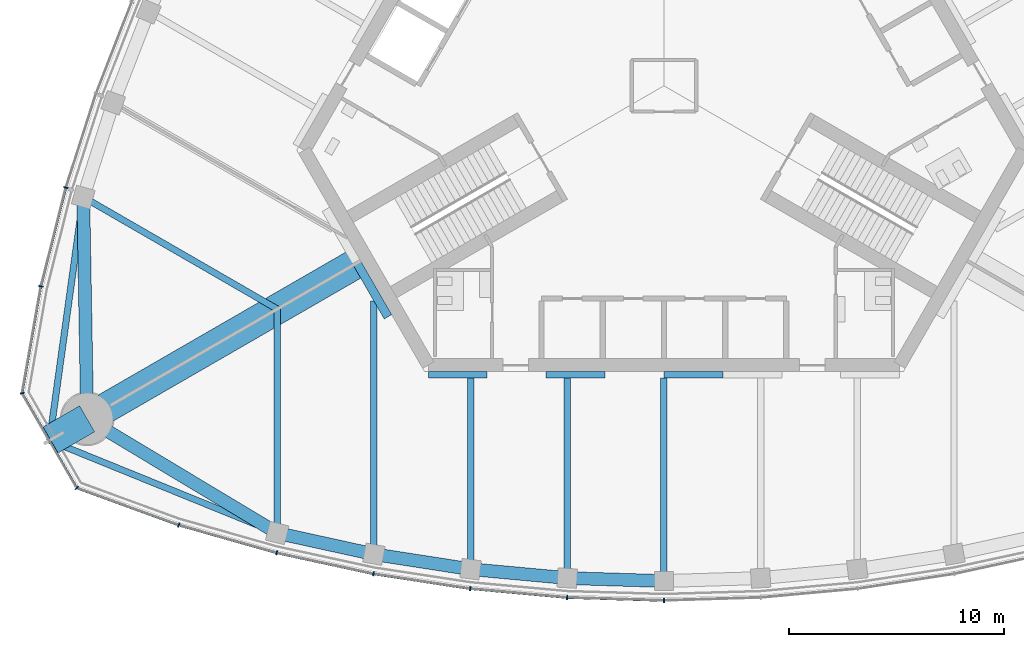
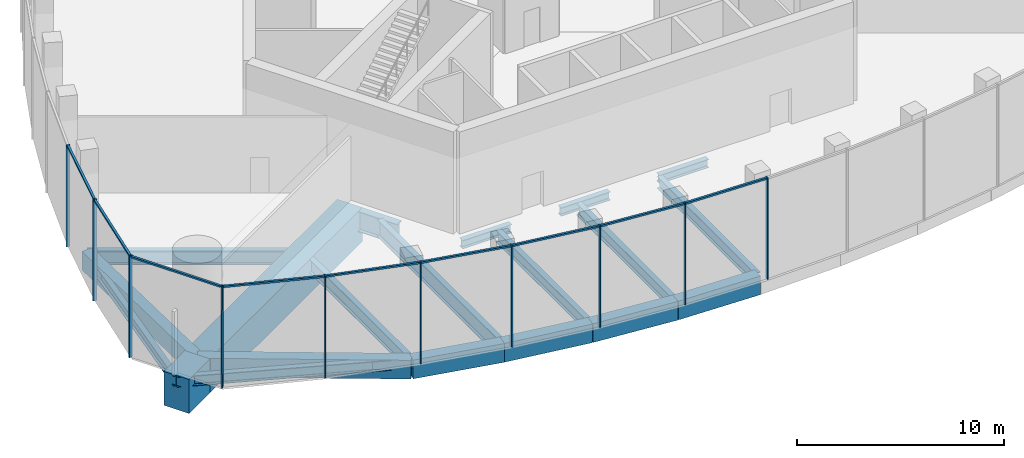
# One storey, part 2 of 15: 20 beams, 19 members, 3 elements without a shape of their own.
"""IFC4 building model written with IfcOpenShell, lengths in metres."""

from ifc_helpers import new_model, si_unit, direction, frame, origin, origin_2d, place, context, subcontext, project, spatial, rectangle, i_section, extrude, material, material_profile, profile_set, type_object, element, aggregate, save


model = new_model("IFC4")

# Units and contexts
model_context = context("Model", 3, precision=1e-05, world=origin(), true_north=direction((0.0, 1.0)))
body_context = subcontext(model_context, "Body", "Model", "MODEL_VIEW")
ifc_project = project(units=[si_unit("LENGTHUNIT", "METRE"), si_unit("AREAUNIT", "SQUARE_METRE"), si_unit("VOLUMEUNIT", "CUBIC_METRE"), si_unit("PLANEANGLEUNIT", "RADIAN"), si_unit("MASSUNIT", "GRAM", prefix="KILO")], contexts=[model_context])

# Site, building, storey
site_placement = place(None, origin())
site = spatial("IfcSite", under=ifc_project, at=site_placement, CompositionType="ELEMENT")
building_placement = place(site_placement, origin())
building = spatial("IfcBuilding", under=site, at=building_placement, Name="Trefoil Bronze Tower", CompositionType="ELEMENT")
storey_placement = place(building_placement, frame((0.0, 0.0, 322.5)))
storey = spatial("IfcBuildingStorey", under=building, at=storey_placement, Name="L74", CompositionType="ELEMENT", Elevation=322.5)

# Curtain wall, members
ifc_material_1 = material(Name="Tinted solar-control glass", Category="glass")
curtain_wall_type_1 = type_object("IfcCurtainWallType", Name="Bronze observation curtain wall", PredefinedType="USERDEFINED", material=ifc_material_1)
curtain_wall_1_placement = place(storey_placement, origin())
curtain_wall_1 = element("IfcCurtainWall", 1, at=curtain_wall_1_placement, inside=storey, type_object=curtain_wall_type_1, Name="CW-E L74 F1", ObjectType="CURTAIN WALL", PredefinedType="USERDEFINED")
ifc_material_2 = material(Name="Bronze-finish aluminium", Category="aluminium")
ifc_material_profile_1 = material_profile(ifc_material_2, rectangle(XDim=0.199951171875, YDim=0.06005859375, at=origin_2d()), Name="CW-E mullion")
ifc_profile_set_1 = profile_set([ifc_material_profile_1], Name="Bronze-finish aluminium")
member_type_1 = type_object("IfcMemberType", Name="Bronze observation curtain wall mullion", PredefinedType="MULLION", material=ifc_profile_set_1)
member_1_placement = place(storey_placement, frame((-18.024169921875, -21.73779296875, 0.0), z_axis=(0.0, 0.0, 1.0), x_axis=(0.242394494031, 0.97017777199, 0.0)))
member_1 = element("IfcMember", 2, at=member_1_placement, type_object=member_type_1, Name="CW-E L74 F1 mullion 2", PredefinedType="MULLION", context=body_context, shape_type="SweptSolid", body=[
    extrude(rectangle(XDim=0.199951171875, YDim=0.06005859375, at=origin_2d()), origin(), (0.0, 0.0, 1.0), 5.97998046875),
])
member_2_placement = place(storey_placement, frame((-13.51806640625, -22.714599609375, 0.0), z_axis=(0.0, 0.0, 1.0), x_axis=(0.181667218242, 0.983360067227, 0.0)))
member_2 = element("IfcMember", 3, at=member_2_placement, type_object=member_type_1, Name="CW-E L74 F1 mullion 3", PredefinedType="MULLION", context=body_context, shape_type="SweptSolid", body=[
    extrude(rectangle(XDim=0.199951171875, YDim=0.06005859375, at=origin_2d()), origin(), (0.0, 0.0, 1.0), 5.97998046875),
])
member_3_placement = place(storey_placement, frame((-9.01220703125, -23.404296875, 0.0), z_axis=(0.0, 0.0, 1.0), x_axis=(0.121109330868, 0.992639174109, 0.0)))
member_3 = element("IfcMember", 4, at=member_3_placement, type_object=member_type_1, Name="CW-E L74 F1 mullion 4", PredefinedType="MULLION", context=body_context, shape_type="SweptSolid", body=[
    extrude(rectangle(XDim=0.199951171875, YDim=0.06005859375, at=origin_2d()), origin(), (0.0, 0.0, 1.0), 5.97998046875),
])
member_4_placement = place(storey_placement, frame((-4.506103515625, -23.815185546875, 0.0), z_axis=(0.0, 0.0, 1.0), x_axis=(0.060554040199, 0.998164920349, 0.0)))
member_4 = element("IfcMember", 5, at=member_4_placement, type_object=member_type_1, Name="CW-E L74 F1 mullion 5", PredefinedType="MULLION", context=body_context, shape_type="SweptSolid", body=[
    extrude(rectangle(XDim=0.199951171875, YDim=0.06005859375, at=origin_2d()), origin(), (0.0, 0.0, 1.0), 5.97998046875),
])
member_5_placement = place(storey_placement, frame((0.0, -23.95166015625, 0.0), z_axis=(0.0, 0.0, 1.0), x_axis=(0.0, 1.0, 0.0)))
member_5 = element("IfcMember", 6, at=member_5_placement, type_object=member_type_1, Name="CW-E L74 F1 mullion 6", PredefinedType="MULLION", context=body_context, shape_type="SweptSolid", body=[
    extrude(rectangle(XDim=0.199951171875, YDim=0.06005859375, at=origin_2d()), origin(), (0.0, 0.0, 1.0), 5.97998046875),
])

# Curtain wall, member
curtain_wall_2_placement = place(storey_placement, origin())
curtain_wall_2 = element("IfcCurtainWall", 7, at=curtain_wall_2_placement, inside=storey, type_object=curtain_wall_type_1, Name="CW-E L74 F3", ObjectType="CURTAIN WALL", PredefinedType="USERDEFINED")
member_6_placement = place(storey_placement, frame((-27.837646484375, -4.740478515625, 0.0), z_axis=(0.0, 0.0, 1.0), x_axis=(0.961395843746, -0.275169096426, 0.0)))
member_6 = element("IfcMember", 8, at=member_6_placement, type_object=member_type_1, Name="CW-E L74 F3 mullion 10", PredefinedType="MULLION", context=body_context, shape_type="SweptSolid", body=[
    extrude(rectangle(XDim=0.199951171875, YDim=0.06005859375, at=origin_2d()), origin(), (0.0, 0.0, 1.0), 5.97998046875),
])

# Member
ifc_material_3 = material(Name="Bronze-finish aluminium", Category="aluminium")
ifc_material_profile_2 = material_profile(ifc_material_3, rectangle(XDim=0.1201171875, YDim=0.10009765625, at=origin_2d()), Name="CW-E transom")
ifc_profile_set_2 = profile_set([ifc_material_profile_2], Name="Bronze-finish aluminium")
member_type_2 = type_object("IfcMemberType", Name="Bronze observation curtain wall transom", PredefinedType="USERDEFINED", material=ifc_profile_set_2)
member_7_placement = place(storey_placement, frame((-22.546630859375, -20.4560546875, 5.929931640625), z_axis=(0.962104086165, -0.27268246622, 0.0), x_axis=(0.27268246622, 0.962104086165, 0.0)))
member_7 = element("IfcMember", 9, at=member_7_placement, type_object=member_type_2, Name="CW-E L74 F1 transom 1", ObjectType="TRANSOM", PredefinedType="USERDEFINED", context=body_context, shape_type="SweptSolid", body=[
    extrude(rectangle(XDim=0.1201171875, YDim=0.10009765625, at=origin_2d()), origin(), (0.0, 0.0, 1.0), 4.667236328125),
])

member_8_placement = place(storey_placement, frame((-17.991943359375, -21.744873046875, 5.929931640625), z_axis=(0.977307572451, -0.211825184596, 0.0), x_axis=(0.211825184596, 0.977307572451, 0.0)))
member_8 = element("IfcMember", 10, at=member_8_placement, type_object=member_type_2, Name="CW-E L74 F1 transom 2", ObjectType="TRANSOM", PredefinedType="USERDEFINED", context=body_context, shape_type="SweptSolid", body=[
    extrude(rectangle(XDim=0.1201171875, YDim=0.10009765625, at=origin_2d()), origin(), (0.0, 0.0, 1.0), 4.54443359375),
])

member_9_placement = place(storey_placement, frame((-13.485595703125, -22.7197265625, 5.929931640625), z_axis=(0.988489507985, -0.151289433218, 0.0), x_axis=(0.151289433218, 0.988489507985, 0.0)))
member_9 = element("IfcMember", 11, at=member_9_placement, type_object=member_type_2, Name="CW-E L74 F1 transom 3", ObjectType="TRANSOM", PredefinedType="USERDEFINED", context=body_context, shape_type="SweptSolid", body=[
    extrude(rectangle(XDim=0.1201171875, YDim=0.10009765625, at=origin_2d()), origin(), (0.0, 0.0, 1.0), 4.49267578125),
])

member_10_placement = place(storey_placement, frame((-8.979248046875, -23.407470703125, 5.929931640625), z_axis=(0.995870284307, -0.090787536778, 0.0), x_axis=(0.090787536778, 0.995870284307, 0.0)))
member_10 = element("IfcMember", 12, at=member_10_placement, type_object=member_type_2, Name="CW-E L74 F1 transom 4", ObjectType="TRANSOM", PredefinedType="USERDEFINED", context=body_context, shape_type="SweptSolid", body=[
    extrude(rectangle(XDim=0.1201171875, YDim=0.10009765625, at=origin_2d()), origin(), (0.0, 0.0, 1.0), 4.45849609375),
])

member_11_placement = place(storey_placement, frame((-4.47314453125, -23.816162109375, 5.929931640625), z_axis=(0.999541380808, -0.030282471041, 0.0), x_axis=(0.030282471041, 0.999541380808, 0.0)))
member_11 = element("IfcMember", 13, at=member_11_placement, type_object=member_type_2, Name="CW-E L74 F1 transom 5", ObjectType="TRANSOM", PredefinedType="USERDEFINED", context=body_context, shape_type="SweptSolid", body=[
    extrude(rectangle(XDim=0.1201171875, YDim=0.10009765625, at=origin_2d()), origin(), (0.0, 0.0, 1.0), 4.442138671875),
])

aggregate(curtain_wall_1, [member_1, member_2, member_3, member_4, member_5, member_7, member_8, member_9, member_10, member_11])

member_12_placement = place(storey_placement, frame((-27.845703125, -4.772705078125, 5.929931640625), z_axis=(-0.244897917875, -0.969548869228, 0.0), x_axis=(0.969548869228, -0.244897917875, 0.0)))
member_12 = element("IfcMember", 14, at=member_12_placement, type_object=member_type_2, Name="CW-E L74 F3 transom 10", ObjectType="TRANSOM", PredefinedType="USERDEFINED", context=body_context, shape_type="SweptSolid", body=[
    extrude(rectangle(XDim=0.1201171875, YDim=0.10009765625, at=origin_2d()), origin(), (0.0, 0.0, 1.0), 4.66748046875),
])

aggregate(curtain_wall_2, [member_6, member_12])

# Curtain wall, members
ifc_material_4 = material(Name="Tinted solar-control glass", Category="glass")
curtain_wall_type_2 = type_object("IfcCurtainWallType", Name="Bronze rounded corner curtain wall", PredefinedType="USERDEFINED", material=ifc_material_4)
curtain_wall_3_placement = place(storey_placement, origin())
curtain_wall_3 = element("IfcCurtainWall", 15, at=curtain_wall_3_placement, inside=storey, type_object=curtain_wall_type_2, Name="CW-B L74 K3", ObjectType="CURTAIN WALL", PredefinedType="USERDEFINED")
ifc_material_5 = material(Name="Bronze-finish aluminium", Category="aluminium")
ifc_material_profile_3 = material_profile(ifc_material_5, rectangle(XDim=0.199951171875, YDim=0.06005859375, at=origin_2d()), Name="CW-B mullion")
ifc_profile_set_3 = profile_set([ifc_material_profile_3], Name="Bronze-finish aluminium")
member_type_3 = type_object("IfcMemberType", Name="Bronze rounded corner curtain wall mullion", PredefinedType="MULLION", material=ifc_profile_set_3)
member_13_placement = place(storey_placement, frame((-28.99755859375, -9.334228515625, 0.0), z_axis=(0.0, 0.0, 1.0), x_axis=(0.984807753012, -0.173648177667, 0.0)))
member_13 = element("IfcMember", 16, at=member_13_placement, type_object=member_type_3, Name="CW-B L74 K3 mullion 1", PredefinedType="MULLION", context=body_context, shape_type="SweptSolid", body=[
    extrude(rectangle(XDim=0.199951171875, YDim=0.06005859375, at=origin_2d()), origin(), (0.0, 0.0, 1.0), 5.97998046875),
])
member_14_placement = place(storey_placement, frame((-29.86865234375, -14.30908203125, 0.0), z_axis=(0.0, 0.0, 1.0), x_axis=(0.984807753012, 0.173648177667, 0.0)))
member_14 = element("IfcMember", 17, at=member_14_placement, type_object=member_type_3, Name="CW-B L74 K3 mullion 2", PredefinedType="MULLION", context=body_context, shape_type="SweptSolid", body=[
    extrude(rectangle(XDim=0.199951171875, YDim=0.06005859375, at=origin_2d()), origin(), (0.0, 0.0, 1.0), 5.97998046875),
])
member_15_placement = place(storey_placement, frame((-27.326416015625, -18.712646484375, 0.0), z_axis=(0.0, 0.0, 1.0), x_axis=(0.642787609687, 0.766044443119, 0.0)))
member_15 = element("IfcMember", 18, at=member_15_placement, type_object=member_type_3, Name="CW-B L74 K3 mullion 3", PredefinedType="MULLION", context=body_context, shape_type="SweptSolid", body=[
    extrude(rectangle(XDim=0.199951171875, YDim=0.06005859375, at=origin_2d()), origin(), (0.0, 0.0, 1.0), 5.97998046875),
])
member_16_placement = place(storey_placement, frame((-22.58251953125, -20.445556640625, 0.0), z_axis=(0.0, 0.0, 1.0), x_axis=(0.342020143326, 0.939692620786, 0.0)))
member_16 = element("IfcMember", 19, at=member_16_placement, type_object=member_type_3, Name="CW-B L74 K3 mullion 4", PredefinedType="MULLION", context=body_context, shape_type="SweptSolid", body=[
    extrude(rectangle(XDim=0.199951171875, YDim=0.06005859375, at=origin_2d()), origin(), (0.0, 0.0, 1.0), 5.97998046875),
])
ifc_material_6 = material(Name="Bronze-finish aluminium", Category="aluminium")
ifc_material_profile_4 = material_profile(ifc_material_6, rectangle(XDim=0.1201171875, YDim=0.10009765625, at=origin_2d()), Name="CW-B transom")
ifc_profile_set_4 = profile_set([ifc_material_profile_4], Name="Bronze-finish aluminium")
member_type_4 = type_object("IfcMemberType", Name="Bronze rounded corner curtain wall transom", PredefinedType="USERDEFINED", material=ifc_profile_set_4)
member_17_placement = place(storey_placement, frame((-29.0029296875, -9.36376953125, 5.929931640625), z_axis=(-0.173633591509, -0.984810324834, 0.0), x_axis=(0.984810324834, -0.173633591509, 0.0)))
member_17 = element("IfcMember", 20, at=member_17_placement, type_object=member_type_4, Name="CW-B L74 K3 transom 1", ObjectType="TRANSOM", PredefinedType="USERDEFINED", context=body_context, shape_type="SweptSolid", body=[
    extrude(rectangle(XDim=0.1201171875, YDim=0.10009765625, at=origin_2d()), origin(), (0.0, 0.0, 1.0), 4.956298828125),
])
member_18_placement = place(storey_placement, frame((-29.841796875, -14.36767578125, 5.929931640625), z_axis=(0.499985403706, -0.866033830794, 0.0), x_axis=(0.866033830794, 0.499985403706, 0.0)))
member_18 = element("IfcMember", 21, at=member_18_placement, type_object=member_type_4, Name="CW-B L74 K3 transom 2", ObjectType="TRANSOM", PredefinedType="USERDEFINED", context=body_context, shape_type="SweptSolid", body=[
    extrude(rectangle(XDim=0.1201171875, YDim=0.10009765625, at=origin_2d()), origin(), (0.0, 0.0, 1.0), 4.956298828125),
])
member_19_placement = place(storey_placement, frame((-27.26806640625, -18.740234375, 5.929931640625), z_axis=(0.93969990549, -0.342000128103, 0.0), x_axis=(0.342000128103, 0.93969990549, 0.0)))
member_19 = element("IfcMember", 22, at=member_19_placement, type_object=member_type_4, Name="CW-B L74 K3 transom 3", ObjectType="TRANSOM", PredefinedType="USERDEFINED", context=body_context, shape_type="SweptSolid", body=[
    extrude(rectangle(XDim=0.1201171875, YDim=0.10009765625, at=origin_2d()), origin(), (0.0, 0.0, 1.0), 4.956298828125),
])
aggregate(curtain_wall_3, [member_13, member_14, member_15, member_16, member_17, member_18, member_19])

# Beams
ifc_material_7 = material(Name="Steel C355", Category="steel")
ifc_material_profile_5 = material_profile(ifc_material_7, i_section(OverallWidth=0.300048828125, OverallDepth=0.5, WebThickness=0.014404296875, FlangeThickness=0.028076171875, FilletRadius=0.027099609375, at=origin_2d()), Name="HEB 500")
ifc_profile_set_5 = profile_set([ifc_material_profile_5], Name="Steel C355")
beam_type_1 = type_object("IfcBeamType", Name="Core seat beam HEB 500", PredefinedType="BEAM", material=ifc_profile_set_5)
for number, where, z_axis, x_axis, name in (
    (23, (-10.9697265625, -13.449951171875, -0.449951171875), (1.0, 0.0, 0.0), (0.0, 1.0, 0.0), "Core seat beam F1/-2 L74"),
    (24, (-5.48486328125, -13.449951171875, -0.449951171875), (1.0, 0.0, 0.0), (0.0, 1.0, 0.0), "Core seat beam F1/-1 L74"),
    (25, (0.0, -13.449951171875, -0.449951171875), (1.0, 0.0, 0.0), (0.0, 1.0, 0.0), "Core seat beam F1/+0 L74"),
):
    element("IfcBeam", number, at=place(storey_placement, frame(where, z_axis=z_axis, x_axis=x_axis)), inside=storey, type_object=beam_type_1, Name=name, PredefinedType="BEAM", context=body_context, shape_type="SweptSolid", body=[
        extrude(i_section(OverallWidth=0.300048828125, OverallDepth=0.5, WebThickness=0.014404296875, FlangeThickness=0.028076171875, FilletRadius=0.027099609375, at=origin_2d()), origin(), (0.0, 0.0, 1.0), 2.742431640625),
    ])
ifc_material_8 = material(Name="Steel C355", Category="steel")
ifc_material_profile_6 = material_profile(ifc_material_8, i_section(OverallWidth=0.39990234375, OverallDepth=1.199951171875, WebThickness=0.02001953125, FlangeThickness=0.0400390625, FilletRadius=0.010009765625, at=origin_2d()), Name="WPG 1200")
ifc_profile_set_6 = profile_set([ifc_material_profile_6], Name="Steel C355")
beam_type_2 = type_object("IfcBeamType", Name="Core seat beam WPG 1200", PredefinedType="BEAM", material=ifc_profile_set_6)
beam_1_placement = place(storey_placement, frame((-14.289306640625, -8.25, -0.800048828125), z_axis=(0.499995765644, -0.866027848477, 0.0), x_axis=(0.866027848477, 0.499995765644, 0.0)))
element("IfcBeam", 26, at=beam_1_placement, inside=storey, type_object=beam_type_2, Name="Core seat beam F1/-3 L74", PredefinedType="BEAM", context=body_context, shape_type="SweptSolid", body=[
    extrude(i_section(OverallWidth=0.39990234375, OverallDepth=1.199951171875, WebThickness=0.02001953125, FlangeThickness=0.0400390625, FilletRadius=0.010009765625, at=origin_2d()), origin(), (0.0, 0.0, 1.0), 2.88671875),
])
ifc_material_9 = material(Name="Concrete B80", Category="concrete")
ifc_material_profile_7 = material_profile(ifc_material_9, rectangle(XDim=1.39990234375, YDim=2.0, at=origin_2d()), Name="RC 1400x2000")
ifc_profile_set_7 = profile_set([ifc_material_profile_7], Name="Concrete B80")
beam_type_3 = type_object("IfcBeamType", Name="Corner cantilever RC 1400x2000", PredefinedType="BEAM", material=ifc_profile_set_7)
beam_2_placement = place(storey_placement, frame((-26.8466796875, -15.5, -1.199951171875), z_axis=(-0.866010470582, -0.500025864173, 0.0), x_axis=(0.500025864173, -0.866010470582, 0.0)))
element("IfcBeam", 27, at=beam_2_placement, inside=storey, type_object=beam_type_3, Name="Corner cantilever K3 L74", PredefinedType="BEAM", context=body_context, shape_type="SweptSolid", body=[
    extrude(rectangle(XDim=1.39990234375, YDim=2.0, at=origin_2d()), origin(), (0.0, 0.0, 1.0), 2.02001953125),
])
ifc_material_10 = material(Name="Steel C355", Category="steel")
ifc_material_profile_8 = material_profile(ifc_material_10, i_section(OverallWidth=0.300048828125, OverallDepth=0.60009765625, WebThickness=0.015380859375, FlangeThickness=0.030029296875, FilletRadius=0.027099609375, at=origin_2d()), Name="HEB 600")
ifc_profile_set_8 = profile_set([ifc_material_profile_8], Name="Steel C355")
beam_type_4 = type_object("IfcBeamType", Name="Corner edge beam HEB 600", PredefinedType="BEAM", material=ifc_profile_set_8)
beam_3_placement = place(storey_placement, frame((-18.0, -20.816162109375, -0.5), z_axis=(-0.926419351914, 0.376493272714, 0.0), x_axis=(-0.376493272714, -0.926419351914, 0.0)))
element("IfcBeam", 28, at=beam_3_placement, inside=storey, type_object=beam_type_4, Name="Corner edge beam F1B L74", PredefinedType="BEAM", context=body_context, shape_type="SweptSolid", body=[
    extrude(i_section(OverallWidth=0.300048828125, OverallDepth=0.60009765625, WebThickness=0.015380859375, FlangeThickness=0.030029296875, FilletRadius=0.027099609375, at=origin_2d()), origin(), (0.0, 0.0, 1.0), 11.4375),
])
beam_4_placement = place(storey_placement, frame((-27.02734375, -5.180419921875, -0.5), z_axis=(-0.137143714313, -0.990551160529, 0.0), x_axis=(0.990551160529, -0.137143714313, 0.0)))
element("IfcBeam", 29, at=beam_4_placement, inside=storey, type_object=beam_type_4, Name="Corner edge beam F3A L74", PredefinedType="BEAM", context=body_context, shape_type="SweptSolid", body=[
    extrude(i_section(OverallWidth=0.300048828125, OverallDepth=0.60009765625, WebThickness=0.015380859375, FlangeThickness=0.030029296875, FilletRadius=0.027099609375, at=origin_2d()), origin(), (0.0, 0.0, 1.0), 11.437744140625),
])
ifc_material_11 = material(Name="Concrete B80", Category="concrete")
ifc_material_profile_9 = material_profile(ifc_material_11, rectangle(XDim=1.39990234375, YDim=2.0, at=origin_2d()), Name="RC 1400x2000")
ifc_profile_set_9 = profile_set([ifc_material_profile_9], Name="Concrete B80")
beam_type_5 = type_object("IfcBeamType", Name="Corner girder RC 1400x2000", PredefinedType="BEAM", material=ifc_profile_set_9)
beam_5_placement = place(storey_placement, frame((-14.1162109375, -8.14990234375, -1.199951171875), z_axis=(-0.86602074674, -0.500008066151, 0.0), x_axis=(0.500008066151, -0.86602074674, 0.0)))
element("IfcBeam", 30, at=beam_5_placement, inside=storey, type_object=beam_type_5, Name="Corner girder K3 L74", PredefinedType="BEAM", context=body_context, shape_type="SweptSolid", body=[
    extrude(rectangle(XDim=1.39990234375, YDim=2.0, at=origin_2d()), origin(), (0.0, 0.0, 1.0), 14.699951171875),
])
ifc_material_12 = material(Name="Concrete B80", Category="concrete")
ifc_material_profile_10 = material_profile(ifc_material_12, rectangle(XDim=0.60009765625, YDim=1.10009765625, at=origin_2d()), Name="RC 600x1100")
ifc_profile_set_10 = profile_set([ifc_material_profile_10], Name="Concrete B80")
beam_type_6 = type_object("IfcBeamType", Name="End spandrel beam RC 600x1100", PredefinedType="SPANDREL", material=ifc_profile_set_10)
for number, where, z_axis, x_axis, name in (
    (31, (-26.8466796875, -15.5, -0.75), (0.857144173035, -0.515076563855, 0.0), (0.515076563855, 0.857144173035, 0.0), "Spandrel F1.1 L74"),
    (32, (-27.02734375, -5.180419921875, -0.75), (0.017504237714, -0.999846789094, 0.0), (0.999846789094, 0.017504237714, 0.0), "Spandrel F3.10 L74"),
):
    element("IfcBeam", number, at=place(storey_placement, frame(where, z_axis=z_axis, x_axis=x_axis)), inside=storey, type_object=beam_type_6, Name=name, PredefinedType="SPANDREL", context=body_context, shape_type="SweptSolid", body=[
        extrude(rectangle(XDim=0.60009765625, YDim=1.10009765625, at=origin_2d()), origin(), (0.0, 0.0, 1.0), 10.321044921875),
    ])
ifc_material_13 = material(Name="Steel C355", Category="steel")
ifc_material_profile_11 = material_profile(ifc_material_13, i_section(OverallWidth=0.300048828125, OverallDepth=1.0, WebThickness=0.01904296875, FlangeThickness=0.035888671875, FilletRadius=0.030029296875, at=origin_2d()), Name="HEB 1000")
ifc_profile_set_11 = profile_set([ifc_material_profile_11], Name="Steel C355")
beam_type_7 = type_object("IfcBeamType", Name="Floor beam HEB 1000", PredefinedType="BEAM", material=ifc_profile_set_11)
beam_6_placement = place(storey_placement, frame((-13.5, -21.802734375, -0.699951171875), z_axis=(0.0, 1.0, 0.0), x_axis=(-1.0, 0.0, 0.0)))
element("IfcBeam", 33, at=beam_6_placement, inside=storey, type_object=beam_type_7, Name="Floor beam F1/-3 L74", PredefinedType="BEAM", context=body_context, shape_type="SweptSolid", body=[
    extrude(i_section(OverallWidth=0.300048828125, OverallDepth=1.0, WebThickness=0.01904296875, FlangeThickness=0.035888671875, FilletRadius=0.030029296875, at=origin_2d()), origin(), (0.0, 0.0, 1.0), 11.785400390625),
])
ifc_material_14 = material(Name="Steel C355", Category="steel")
ifc_material_profile_12 = material_profile(ifc_material_14, i_section(OverallWidth=0.300048828125, OverallDepth=0.699951171875, WebThickness=0.01708984375, FlangeThickness=0.031982421875, FilletRadius=0.027099609375, at=origin_2d()), Name="HEB 700")
ifc_profile_set_12 = profile_set([ifc_material_profile_12], Name="Steel C355")
beam_type_8 = type_object("IfcBeamType", Name="Floor beam HEB 700", PredefinedType="BEAM", material=ifc_profile_set_12)
beam_7_placement = place(storey_placement, frame((-9.0, -22.499267578125, -0.550048828125), z_axis=(0.0, 1.0, 0.0), x_axis=(-1.0, 0.0, 0.0)))
element("IfcBeam", 34, at=beam_7_placement, inside=storey, type_object=beam_type_8, Name="Floor beam F1/-2 L74", PredefinedType="BEAM", context=body_context, shape_type="SweptSolid", body=[
    extrude(i_section(OverallWidth=0.300048828125, OverallDepth=0.699951171875, WebThickness=0.01708984375, FlangeThickness=0.031982421875, FilletRadius=0.027099609375, at=origin_2d()), origin(), (0.0, 0.0, 1.0), 8.899169921875),
])
beam_8_placement = place(storey_placement, frame((-4.5, -22.913818359375, -0.550048828125), z_axis=(0.0, 1.0, 0.0), x_axis=(-1.0, 0.0, 0.0)))
element("IfcBeam", 35, at=beam_8_placement, inside=storey, type_object=beam_type_8, Name="Floor beam F1/-1 L74", PredefinedType="BEAM", context=body_context, shape_type="SweptSolid", body=[
    extrude(i_section(OverallWidth=0.300048828125, OverallDepth=0.699951171875, WebThickness=0.01708984375, FlangeThickness=0.031982421875, FilletRadius=0.027099609375, at=origin_2d()), origin(), (0.0, 0.0, 1.0), 9.313720703125),
])
beam_9_placement = place(storey_placement, frame((0.0, -23.051513671875, -0.550048828125), z_axis=(0.0, 1.0, 0.0), x_axis=(-1.0, 0.0, 0.0)))
element("IfcBeam", 36, at=beam_9_placement, inside=storey, type_object=beam_type_8, Name="Floor beam F1/+0 L74", PredefinedType="BEAM", context=body_context, shape_type="SweptSolid", body=[
    extrude(i_section(OverallWidth=0.300048828125, OverallDepth=0.699951171875, WebThickness=0.01708984375, FlangeThickness=0.031982421875, FilletRadius=0.027099609375, at=origin_2d()), origin(), (0.0, 0.0, 1.0), 9.451416015625),
])
ifc_material_15 = material(Name="Steel C355", Category="steel")
ifc_material_profile_13 = material_profile(ifc_material_15, i_section(OverallWidth=0.300048828125, OverallDepth=0.800048828125, WebThickness=0.017578125, FlangeThickness=0.032958984375, FilletRadius=0.030029296875, at=origin_2d()), Name="HEB 800")
ifc_profile_set_13 = profile_set([ifc_material_profile_13], Name="Steel C355")
beam_type_9 = type_object("IfcBeamType", Name="Floor beam HEB 800", PredefinedType="BEAM", material=ifc_profile_set_13)
for number, where, z_axis, x_axis, name in (
    (37, (-18.0, -20.816162109375, -0.60009765625), (0.0, 1.0, 0.0), (-1.0, 0.0, 0.0), "Floor beam F1/-4 L74"),
    (38, (-27.02734375, -5.180419921875, -0.60009765625), (0.866026453994, -0.499998180979, 0.0), (0.499998180979, 0.866026453994, 0.0), "Floor beam F3/+4 L74"),
):
    element("IfcBeam", number, at=place(storey_placement, frame(where, z_axis=z_axis, x_axis=x_axis)), inside=storey, type_object=beam_type_9, Name=name, PredefinedType="BEAM", context=body_context, shape_type="SweptSolid", body=[
        extrude(i_section(OverallWidth=0.300048828125, OverallDepth=0.800048828125, WebThickness=0.017578125, FlangeThickness=0.032958984375, FilletRadius=0.030029296875, at=origin_2d()), origin(), (0.0, 0.0, 1.0), 10.423828125),
    ])
ifc_material_16 = material(Name="Concrete B80", Category="concrete")
ifc_material_profile_14 = material_profile(ifc_material_16, rectangle(XDim=0.60009765625, YDim=1.10009765625, at=origin_2d()), Name="RC 600x1100")
ifc_profile_set_14 = profile_set([ifc_material_profile_14], Name="Concrete B80")
beam_type_10 = type_object("IfcBeamType", Name="Spandrel beam RC 600x1100", PredefinedType="SPANDREL", material=ifc_profile_set_14)
beam_10_placement = place(storey_placement, frame((-18.0, -20.816162109375, -0.75), z_axis=(0.976800342355, -0.214152028182, 0.0), x_axis=(0.214152028182, 0.976800342355, 0.0)))
element("IfcBeam", 39, at=beam_10_placement, inside=storey, type_object=beam_type_10, Name="Spandrel F1.2 L74", PredefinedType="SPANDREL", context=body_context, shape_type="SweptSolid", body=[
    extrude(rectangle(XDim=0.60009765625, YDim=1.10009765625, at=origin_2d()), origin(), (0.0, 0.0, 1.0), 4.60693359375),
])
beam_11_placement = place(storey_placement, frame((-13.5, -21.802734375, -0.75), z_axis=(0.988231820946, -0.152963616816, 0.0), x_axis=(0.152963616816, 0.988231820946, 0.0)))
element("IfcBeam", 40, at=beam_11_placement, inside=storey, type_object=beam_type_10, Name="Spandrel F1.3 L74", PredefinedType="SPANDREL", context=body_context, shape_type="SweptSolid", body=[
    extrude(rectangle(XDim=0.60009765625, YDim=1.10009765625, at=origin_2d()), origin(), (0.0, 0.0, 1.0), 4.553466796875),
])
beam_12_placement = place(storey_placement, frame((-9.0, -22.499267578125, -0.75), z_axis=(0.995783550481, -0.091733966402, 0.0), x_axis=(0.091733966402, 0.995783550481, 0.0)))
element("IfcBeam", 41, at=beam_12_placement, inside=storey, type_object=beam_type_10, Name="Spandrel F1.4 L74", PredefinedType="SPANDREL", context=body_context, shape_type="SweptSolid", body=[
    extrude(rectangle(XDim=0.60009765625, YDim=1.10009765625, at=origin_2d()), origin(), (0.0, 0.0, 1.0), 4.51904296875),
])
beam_13_placement = place(storey_placement, frame((-4.5, -22.913818359375, -0.75), z_axis=(0.999532180362, -0.03058464354, 0.0), x_axis=(0.03058464354, 0.999532180362, 0.0)))
element("IfcBeam", 42, at=beam_13_placement, inside=storey, type_object=beam_type_10, Name="Spandrel F1.5 L74", PredefinedType="SPANDREL", context=body_context, shape_type="SweptSolid", body=[
    extrude(rectangle(XDim=0.60009765625, YDim=1.10009765625, at=origin_2d()), origin(), (0.0, 0.0, 1.0), 4.502197265625),
])

save(model, "model.ifc")
